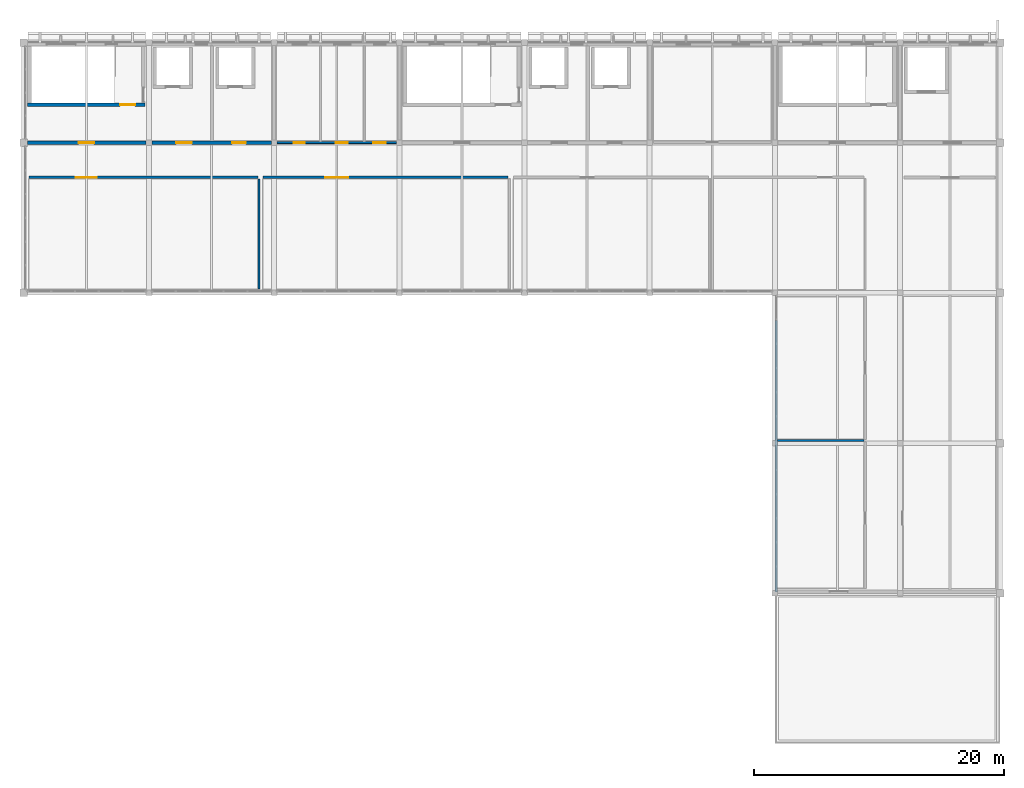
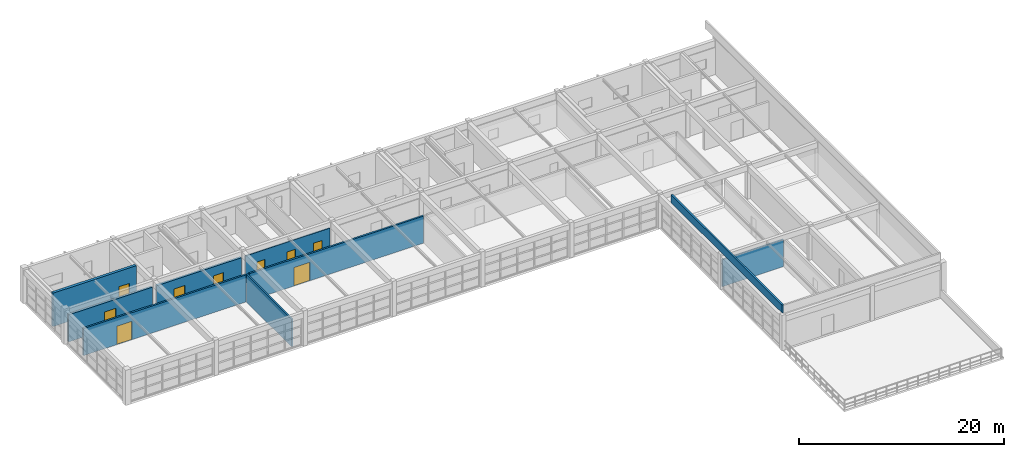
# One storey, part 12 of 16: 9 doors, 9 walls, 9 openings.
"""IFC4 building model written with IfcOpenShell, lengths in metres."""

from ifc_helpers import new_model, si_unit, direction, frame, frame_2d, origin, place, context, subcontext, project, spatial, rectangle, extrude, material, layer, layer_set, type_object, element, fill, save


model = new_model("IFC4")

# Units and contexts
model_context = context("Model", 3, precision=1e-05, world=origin(), true_north=direction((0.0, 1.0)))
body_context = subcontext(model_context, "Body", "Model", "MODEL_VIEW")
ifc_project = project(units=[si_unit("LENGTHUNIT", "METRE"), si_unit("AREAUNIT", "SQUARE_METRE"), si_unit("VOLUMEUNIT", "CUBIC_METRE"), si_unit("PLANEANGLEUNIT", "RADIAN"), si_unit("MASSUNIT", "GRAM", prefix="KILO")], contexts=[model_context])

# Site, building, storey
site_placement = place(None, origin())
site = spatial("IfcSite", under=ifc_project, at=site_placement, CompositionType="ELEMENT")
building_placement = place(site_placement, origin())
building = spatial("IfcBuilding", under=site, at=building_placement, Name="Kivolera Central Railway Station", CompositionType="ELEMENT")
storey_placement = place(building_placement, frame((0.0, 0.0, 27.0)))
storey = spatial("IfcBuildingStorey", under=building, at=storey_placement, Name="L06", CompositionType="ELEMENT", Elevation=27.0)

# Wall, opening, door
ifc_material_1 = material(Name="Swahili coral limestone", Category="masonry")
ifc_layer_1 = layer(ifc_material_1, 0.199951171875, Name="Swahili coral limestone")
ifc_layer_set_1 = layer_set([ifc_layer_1], Name="Swahili coral limestone")
wall_type_1 = type_object("IfcWallType", Name="WL-COR-200", PredefinedType="PARTITIONING", material=ifc_layer_set_1)
wall_1_placement = place(storey_placement, frame((118.39990234375, 123.219970703125, 0.0), z_axis=(0.0, 0.0, 1.0), x_axis=(1.0, 0.0, 0.0)))
wall_1 = element("IfcWall", 1, at=wall_1_placement, inside=storey, type_object=wall_type_1, Name="L06 Signal Training Classroom Corridor Wall", PredefinedType="PARTITIONING", context=body_context, shape_type="SweptSolid", body=[
    extrude(rectangle(XDim=18.300048828125, YDim=0.199951171875, at=frame_2d((9.14990234375, 0.0))), origin(), (0.0, 0.0, 1.0), 3.218017578125),
])
opening_1_placement = place(wall_1_placement, frame((3.75, 0.0, 0.0)))
opening_1 = element("IfcOpeningElement", 2, at=opening_1_placement, cuts=wall_1, Name="Opening D-DB-03", PredefinedType="OPENING", context=body_context, shape_type="SweptSolid", body=[
    extrude(rectangle(XDim=1.699951171875, YDim=2.199951171875, at=frame_2d((0.85009765625, 1.10009765625))), frame((0.0, 0.10986328125, 0.0), z_axis=(0.0, -1.0, 0.0), x_axis=(1.0, 0.0, 0.0)), (0.0, 0.0, 1.0), 0.219970703125),
])
ifc_material_2 = material(Name="Anodised aluminium", Category="aluminium")
door_type_1 = type_object("IfcDoorType", Name="DR-D-DB-03", OperationType="NOTDEFINED", PredefinedType="DOOR", material=ifc_material_2)
door_1_placement = place(opening_1_placement, origin())
door_1 = element("IfcDoor", 3, at=door_1_placement, inside=storey, type_object=door_type_1, Name="L06 Signal Training Classroom Door", OperationType="DOUBLE_DOOR_SINGLE_SWING", OverallHeight=2.199951171875, OverallWidth=1.699951171875, PredefinedType="DOOR", context=body_context, shape_type="SweptSolid", body=[
    extrude(rectangle(XDim=1.699951171875, YDim=2.199951171875, at=frame_2d((0.85009765625, 1.10009765625))), frame((0.0, 0.02490234375, 0.0), z_axis=(0.0, -1.0, 0.0), x_axis=(1.0, 0.0, 0.0)), (0.0, 0.0, 1.0), 0.050048828125),
])
fill(opening_1, door_1)

wall_2_placement = place(storey_placement, frame((137.10009765625, 123.219970703125, 0.0), z_axis=(0.0, 0.0, 1.0), x_axis=(1.0, 0.0, 0.0)))
wall_2 = element("IfcWall", 4, at=wall_2_placement, inside=storey, type_object=wall_type_1, Name="L06 Locomotive Driver Simulator Studio Corridor Wall", PredefinedType="PARTITIONING", context=body_context, shape_type="SweptSolid", body=[
    extrude(rectangle(XDim=19.599853515625, YDim=0.199951171875, at=frame_2d((9.7998046875, 0.0))), origin(), (0.0, 0.0, 1.0), 3.218017578125),
])
opening_2_placement = place(wall_2_placement, frame((5.0, 0.0, 0.0)))
opening_2 = element("IfcOpeningElement", 5, at=opening_2_placement, cuts=wall_2, Name="Opening D-DB-04", PredefinedType="OPENING", context=body_context, shape_type="SweptSolid", body=[
    extrude(rectangle(XDim=1.800048828125, YDim=2.199951171875, at=frame_2d((0.89990234375, 1.10009765625))), frame((0.0, 0.10986328125, 0.0), z_axis=(0.0, -1.0, 0.0), x_axis=(1.0, 0.0, 0.0)), (0.0, 0.0, 1.0), 0.219970703125),
])
door_type_2 = type_object("IfcDoorType", Name="DR-D-DB-04", OperationType="NOTDEFINED", PredefinedType="DOOR", material=ifc_material_2)
door_2_placement = place(opening_2_placement, origin())
door_2 = element("IfcDoor", 6, at=door_2_placement, inside=storey, type_object=door_type_2, Name="L06 Locomotive Driver Simulator Studio Door", OperationType="DOUBLE_DOOR_SINGLE_SWING", OverallHeight=2.199951171875, OverallWidth=1.800048828125, PredefinedType="DOOR", context=body_context, shape_type="SweptSolid", body=[
    extrude(rectangle(XDim=1.800048828125, YDim=2.199951171875, at=frame_2d((0.89990234375, 1.10009765625))), frame((0.0, 0.02490234375, 0.0), z_axis=(0.0, -1.0, 0.0), x_axis=(1.0, 0.0, 0.0)), (0.0, 0.0, 1.0), 0.050048828125),
])
fill(opening_2, door_2)

ifc_material_3 = material(Name="Concrete C40/50", Category="concrete")
ifc_layer_2 = layer(ifc_material_3, 0.300048828125, Name="Concrete C40/50")
ifc_layer_set_2 = layer_set([ifc_layer_2], Name="Concrete C40/50")
wall_type_2 = type_object("IfcWallType", Name="WL-CORE-300", PredefinedType="SHEAR", material=ifc_layer_set_2)
wall_3_placement = place(storey_placement, frame((127.699951171875, 129.030029296875, 0.0), z_axis=(0.0, 0.0, 1.0), x_axis=(-1.0, 0.0, 0.0)))
wall_3 = element("IfcWall", 7, at=wall_3_placement, inside=storey, type_object=wall_type_2, Name="L06 ST1 Core Right Shear Wall", PredefinedType="SHEAR", context=body_context, shape_type="SweptSolid", body=[
    extrude(rectangle(XDim=9.39990234375, YDim=0.300048828125, at=frame_2d((4.699951171875, 0.0))), origin(), (0.0, 0.0, 1.0), 3.97998046875),
])
opening_3_placement = place(wall_3_placement, frame((0.800048828125, 0.0, 0.0)))
opening_3 = element("IfcOpeningElement", 8, at=opening_3_placement, cuts=wall_3, Name="Opening D-STAIR-1200", PredefinedType="OPENING", context=body_context, shape_type="SweptSolid", body=[
    extrude(rectangle(XDim=1.199951171875, YDim=2.14990234375, at=frame_2d((0.60009765625, 1.074951171875))), frame((0.0, 0.159912109375, 0.0), z_axis=(0.0, -1.0, 0.0), x_axis=(1.0, 0.0, 0.0)), (0.0, 0.0, 1.0), 0.320068359375),
])
ifc_material_4 = material(Name="Hardwood mvule timber", Category="wood")
door_type_3 = type_object("IfcDoorType", Name="DR-D-STAIR-1200", OperationType="NOTDEFINED", PredefinedType="DOOR", material=ifc_material_4)
door_3_placement = place(opening_3_placement, origin())
door_3 = element("IfcDoor", 9, at=door_3_placement, inside=storey, type_object=door_type_3, Name="L06 ST1 Vestibule Fire Door", OperationType="SINGLE_SWING_LEFT", OverallHeight=2.14990234375, OverallWidth=1.199951171875, PredefinedType="DOOR", context=body_context, shape_type="SweptSolid", body=[
    extrude(rectangle(XDim=1.199951171875, YDim=2.14990234375, at=frame_2d((0.60009765625, 1.074951171875))), frame((0.0, 0.02490234375, 0.0), z_axis=(0.0, -1.0, 0.0), x_axis=(1.0, 0.0, 0.0)), (0.0, 0.0, 1.0), 0.050048828125),
])
fill(opening_3, door_3)

ifc_layer_3 = layer(ifc_material_3, 0.25, Name="Concrete C40/50")
ifc_layer_set_3 = layer_set([ifc_layer_3], Name="Concrete C40/50")
wall_type_3 = type_object("IfcWallType", Name="WL-FFL-250", PredefinedType="PARTITIONING", material=ifc_layer_set_3)
wall_4_placement = place(storey_placement, frame((118.304931640625, 126.0, 0.0), z_axis=(0.0, 0.0, 1.0), x_axis=(1.0, 0.0, 0.0)))
wall_4 = element("IfcWall", 10, at=wall_4_placement, inside=storey, type_object=wall_type_3, Name="L06 North Core Corridor Wall 118", PredefinedType="PARTITIONING", context=body_context, shape_type="SweptSolid", body=[
    extrude(rectangle(XDim=9.465087890625, YDim=0.25, at=frame_2d((4.732421875, 0.0))), origin(), (0.0, 0.0, 1.0), 3.218017578125),
])
opening_4_placement = place(wall_4_placement, frame((4.070068359375, 0.0, 0.0)))
opening_4 = element("IfcOpeningElement", 11, at=opening_4_placement, cuts=wall_4, Name="Opening D-FFL-1250", PredefinedType="OPENING", context=body_context, shape_type="SweptSolid", body=[
    extrude(rectangle(XDim=1.25, YDim=2.14990234375, at=frame_2d((0.625, 1.074951171875))), frame((0.0, 0.135009765625, 0.0), z_axis=(0.0, -1.0, 0.0), x_axis=(1.0, 0.0, 0.0)), (0.0, 0.0, 1.0), 0.27001953125),
])
door_type_4 = type_object("IfcDoorType", Name="DR-D-FFL-1250", OperationType="NOTDEFINED", PredefinedType="DOOR", material=ifc_material_4)
door_4_placement = place(opening_4_placement, origin())
door_4 = element("IfcDoor", 12, at=door_4_placement, inside=storey, type_object=door_type_4, Name="L06 ST1 Vestibule Corridor Door", OperationType="SINGLE_SWING_RIGHT", OverallHeight=2.14990234375, OverallWidth=1.25, PredefinedType="DOOR", context=body_context, shape_type="SweptSolid", body=[
    extrude(rectangle(XDim=1.25, YDim=2.14990234375, at=frame_2d((0.625, 1.074951171875))), frame((0.0, 0.02490234375, 0.0), z_axis=(0.0, -1.0, 0.0), x_axis=(1.0, 0.0, 0.0)), (0.0, 0.0, 1.0), 0.050048828125),
])
fill(opening_4, door_4)

# Wall, openings, doors
wall_5_placement = place(storey_placement, frame((128.22998046875, 126.0, 0.0), z_axis=(0.0, 0.0, 1.0), x_axis=(1.0, 0.0, 0.0)))
wall_5 = element("IfcWall", 13, at=wall_5_placement, inside=storey, type_object=wall_type_3, Name="L06 North Core Corridor Wall 128", PredefinedType="PARTITIONING", context=body_context, shape_type="SweptSolid", body=[
    extrude(rectangle(XDim=9.5400390625, YDim=0.25, at=frame_2d((4.77001953125, 0.0))), origin(), (0.0, 0.0, 1.0), 3.218017578125),
])
opening_5_placement = place(wall_5_placement, frame((1.945068359375, 0.0, 0.0)))
opening_5 = element("IfcOpeningElement", 14, at=opening_5_placement, cuts=wall_5, Name="Opening D-FFL-1250", PredefinedType="OPENING", context=body_context, shape_type="SweptSolid", body=[
    extrude(rectangle(XDim=1.25, YDim=2.14990234375, at=frame_2d((0.625, 1.074951171875))), frame((0.0, 0.135009765625, 0.0), z_axis=(0.0, -1.0, 0.0), x_axis=(1.0, 0.0, 0.0)), (0.0, 0.0, 1.0), 0.27001953125),
])
opening_6_placement = place(wall_5_placement, frame((6.419921875, 0.0, 0.0)))
opening_6 = element("IfcOpeningElement", 15, at=opening_6_placement, cuts=wall_5, Name="Opening D-FFL-1100", PredefinedType="OPENING", context=body_context, shape_type="SweptSolid", body=[
    extrude(rectangle(XDim=1.10009765625, YDim=2.14990234375, at=frame_2d((0.550048828125, 1.074951171875))), frame((0.0, 0.135009765625, 0.0), z_axis=(0.0, -1.0, 0.0), x_axis=(1.0, 0.0, 0.0)), (0.0, 0.0, 1.0), 0.27001953125),
])
door_type_5 = type_object("IfcDoorType", Name="DR-D-FFL-1100", OperationType="NOTDEFINED", PredefinedType="DOOR", material=ifc_material_4)
door_5_placement = place(opening_6_placement, origin())
door_5 = element("IfcDoor", 16, at=door_5_placement, inside=storey, type_object=door_type_5, Name="L06 PL1 Lift Lobby Door", OperationType="SINGLE_SWING_RIGHT", OverallHeight=2.14990234375, OverallWidth=1.10009765625, PredefinedType="DOOR", context=body_context, shape_type="SweptSolid", body=[
    extrude(rectangle(XDim=1.10009765625, YDim=2.14990234375, at=frame_2d((0.550048828125, 1.074951171875))), frame((0.0, 0.02490234375, 0.0), z_axis=(0.0, -1.0, 0.0), x_axis=(1.0, 0.0, 0.0)), (0.0, 0.0, 1.0), 0.050048828125),
])
fill(opening_6, door_5)
door_6_placement = place(opening_5_placement, origin())
door_6 = element("IfcDoor", 17, at=door_6_placement, inside=storey, type_object=door_type_4, Name="L06 FL1 Firefighting Lobby Corridor Fire Door", OperationType="SINGLE_SWING_LEFT", OverallHeight=2.14990234375, OverallWidth=1.25, PredefinedType="DOOR", context=body_context, shape_type="SweptSolid", body=[
    extrude(rectangle(XDim=1.25, YDim=2.14990234375, at=frame_2d((0.625, 1.074951171875))), frame((0.0, 0.02490234375, 0.0), z_axis=(0.0, -1.0, 0.0), x_axis=(1.0, 0.0, 0.0)), (0.0, 0.0, 1.0), 0.050048828125),
])
fill(opening_5, door_6)

# Wall
ifc_layer_4 = layer(ifc_material_3, 0.18994140625, Name="Concrete C40/50")
ifc_layer_set_4 = layer_set([ifc_layer_4], Name="Concrete C40/50")
wall_type_4 = type_object("IfcWallType", Name="WL-PARAPET-190", PredefinedType="PARAPET", material=ifc_layer_set_4)
wall_6_placement = place(storey_placement, frame((178.1201171875, 90.1201171875, 4.199951171875), z_axis=(0.0, 0.0, 1.0), x_axis=(0.0, 1.0, 0.0)))
element("IfcWall", 18, at=wall_6_placement, inside=storey, type_object=wall_type_4, Name="L06 Roof Perimeter Parapet EAST-ACAD-W", PredefinedType="PARAPET", context=body_context, shape_type="SweptSolid", body=[
    extrude(rectangle(XDim=21.679931640625, YDim=0.18994140625, at=frame_2d((10.83984375, 0.0))), origin(), (0.0, 0.0, 1.0), 0.949951171875),
])

# Wall, openings, doors
ifc_material_5 = material(Name="Gypsum plasterboard steel-stud partition")
ifc_layer_5 = layer(ifc_material_5, 0.14990234375, Name="Gypsum plasterboard steel-stud partition")
ifc_layer_set_5 = layer_set([ifc_layer_5], Name="Gypsum plasterboard steel-stud partition")
wall_type_5 = type_object("IfcWallType", Name="WL-PRT-150", PredefinedType="PARTITIONING", material=ifc_layer_set_5)
wall_7_placement = place(storey_placement, frame((138.22998046875, 126.0, 0.0), z_axis=(0.0, 0.0, 1.0), x_axis=(1.0, 0.0, 0.0)))
wall_7 = element("IfcWall", 19, at=wall_7_placement, inside=storey, type_object=wall_type_5, Name="L06 North Core Corridor Wall 138", PredefinedType="PARTITIONING", context=body_context, shape_type="SweptSolid", body=[
    extrude(rectangle(XDim=9.5400390625, YDim=0.14990234375, at=frame_2d((4.77001953125, 0.0))), origin(), (0.0, 0.0, 1.0), 3.218017578125),
])
opening_7_placement = place(wall_7_placement, frame((1.320068359375, 0.0, 0.0)))
opening_7 = element("IfcOpeningElement", 20, at=opening_7_placement, cuts=wall_7, Name="Opening D-WC-0900", PredefinedType="OPENING", context=body_context, shape_type="SweptSolid", body=[
    extrude(rectangle(XDim=0.89990234375, YDim=2.050048828125, at=frame_2d((0.449951171875, 1.02490234375))), frame((0.0, 0.0849609375, 0.0), z_axis=(0.0, -1.0, 0.0), x_axis=(1.0, 0.0, 0.0)), (0.0, 0.0, 1.0), 0.169921875),
])
opening_8_placement = place(wall_7_placement, frame((4.695068359375, 0.0, 0.0)))
opening_8 = element("IfcOpeningElement", 21, at=opening_8_placement, cuts=wall_7, Name="Opening D-WC-0950", PredefinedType="OPENING", context=body_context, shape_type="SweptSolid", body=[
    extrude(rectangle(XDim=0.949951171875, YDim=2.050048828125, at=frame_2d((0.47509765625, 1.02490234375))), frame((0.0, 0.0849609375, 0.0), z_axis=(0.0, -1.0, 0.0), x_axis=(1.0, 0.0, 0.0)), (0.0, 0.0, 1.0), 0.169921875),
])
opening_9_placement = place(wall_7_placement, frame((7.669921875, 0.0, 0.0)))
opening_9 = element("IfcOpeningElement", 22, at=opening_9_placement, cuts=wall_7, Name="Opening D-ACC-1000", PredefinedType="OPENING", context=body_context, shape_type="SweptSolid", body=[
    extrude(rectangle(XDim=1.0, YDim=2.050048828125, at=frame_2d((0.5, 1.02490234375))), frame((0.0, 0.0849609375, 0.0), z_axis=(0.0, -1.0, 0.0), x_axis=(1.0, 0.0, 0.0)), (0.0, 0.0, 1.0), 0.169921875),
])
door_type_6 = type_object("IfcDoorType", Name="DR-D-ACC-1000", OperationType="NOTDEFINED", PredefinedType="DOOR", material=ifc_material_4)
door_7_placement = place(opening_9_placement, origin())
door_7 = element("IfcDoor", 23, at=door_7_placement, inside=storey, type_object=door_type_6, Name="L06 Accessible Washroom Door", OperationType="SINGLE_SWING_LEFT", OverallHeight=2.050048828125, OverallWidth=1.0, PredefinedType="DOOR", context=body_context, shape_type="SweptSolid", body=[
    extrude(rectangle(XDim=1.0, YDim=2.050048828125, at=frame_2d((0.5, 1.02490234375))), frame((0.0, 0.02490234375, 0.0), z_axis=(0.0, -1.0, 0.0), x_axis=(1.0, 0.0, 0.0)), (0.0, 0.0, 1.0), 0.050048828125),
])
fill(opening_9, door_7)
door_type_7 = type_object("IfcDoorType", Name="DR-D-WC-0900", OperationType="NOTDEFINED", PredefinedType="DOOR", material=ifc_material_4)
door_8_placement = place(opening_7_placement, origin())
door_8 = element("IfcDoor", 24, at=door_8_placement, inside=storey, type_object=door_type_7, Name="L06 Male Washroom Door", OperationType="SINGLE_SWING_LEFT", OverallHeight=2.050048828125, OverallWidth=0.89990234375, PredefinedType="DOOR", context=body_context, shape_type="SweptSolid", body=[
    extrude(rectangle(XDim=0.89990234375, YDim=2.050048828125, at=frame_2d((0.449951171875, 1.02490234375))), frame((0.0, 0.02490234375, 0.0), z_axis=(0.0, -1.0, 0.0), x_axis=(1.0, 0.0, 0.0)), (0.0, 0.0, 1.0), 0.050048828125),
])
fill(opening_7, door_8)
door_type_8 = type_object("IfcDoorType", Name="DR-D-WC-0950", OperationType="NOTDEFINED", PredefinedType="DOOR", material=ifc_material_4)
door_9_placement = place(opening_8_placement, origin())
door_9 = element("IfcDoor", 25, at=door_9_placement, inside=storey, type_object=door_type_8, Name="L06 Female Washroom Door", OperationType="SINGLE_SWING_RIGHT", OverallHeight=2.050048828125, OverallWidth=0.949951171875, PredefinedType="DOOR", context=body_context, shape_type="SweptSolid", body=[
    extrude(rectangle(XDim=0.949951171875, YDim=2.050048828125, at=frame_2d((0.47509765625, 1.02490234375))), frame((0.0, 0.02490234375, 0.0), z_axis=(0.0, -1.0, 0.0), x_axis=(1.0, 0.0, 0.0)), (0.0, 0.0, 1.0), 0.050048828125),
])
fill(opening_8, door_9)

# Walls
ifc_layer_6 = layer(ifc_material_5, 0.1650390625, Name="Gypsum plasterboard steel-stud partition")
ifc_layer_set_6 = layer_set([ifc_layer_6], Name="Gypsum plasterboard steel-stud partition")
wall_type_6 = type_object("IfcWallType", Name="WL-PRT-165", PredefinedType="PARTITIONING", material=ifc_layer_set_6)
wall_8_placement = place(storey_placement, frame((136.800048828125, 114.300048828125, 0.0), z_axis=(0.0, 0.0, 1.0), x_axis=(0.0, 1.0, 0.0)))
element("IfcWall", 26, at=wall_8_placement, inside=storey, type_object=wall_type_6, Name="L06 Signal Training Classroom Partition Wall", PredefinedType="PARTITIONING", context=body_context, shape_type="SweptSolid", body=[
    extrude(rectangle(XDim=8.800048828125, YDim=0.1650390625, at=frame_2d((4.39990234375, 0.0))), origin(), (0.0, 0.0, 1.0), 3.318115234375),
])
wall_9_placement = place(storey_placement, frame((178.199951171875, 102.199951171875, 0.0), z_axis=(0.0, 0.0, 1.0), x_axis=(1.0, 0.0, 0.0)))
element("IfcWall", 27, at=wall_9_placement, inside=storey, type_object=wall_type_6, Name="L06 Traction Simulator Laboratory Partition Wall", PredefinedType="PARTITIONING", context=body_context, shape_type="SweptSolid", body=[
    extrude(rectangle(XDim=6.900146484375, YDim=0.1650390625, at=frame_2d((3.4501953125, 0.0))), origin(), (0.0, 0.0, 1.0), 3.218017578125),
])

save(model, "model.ifc")
